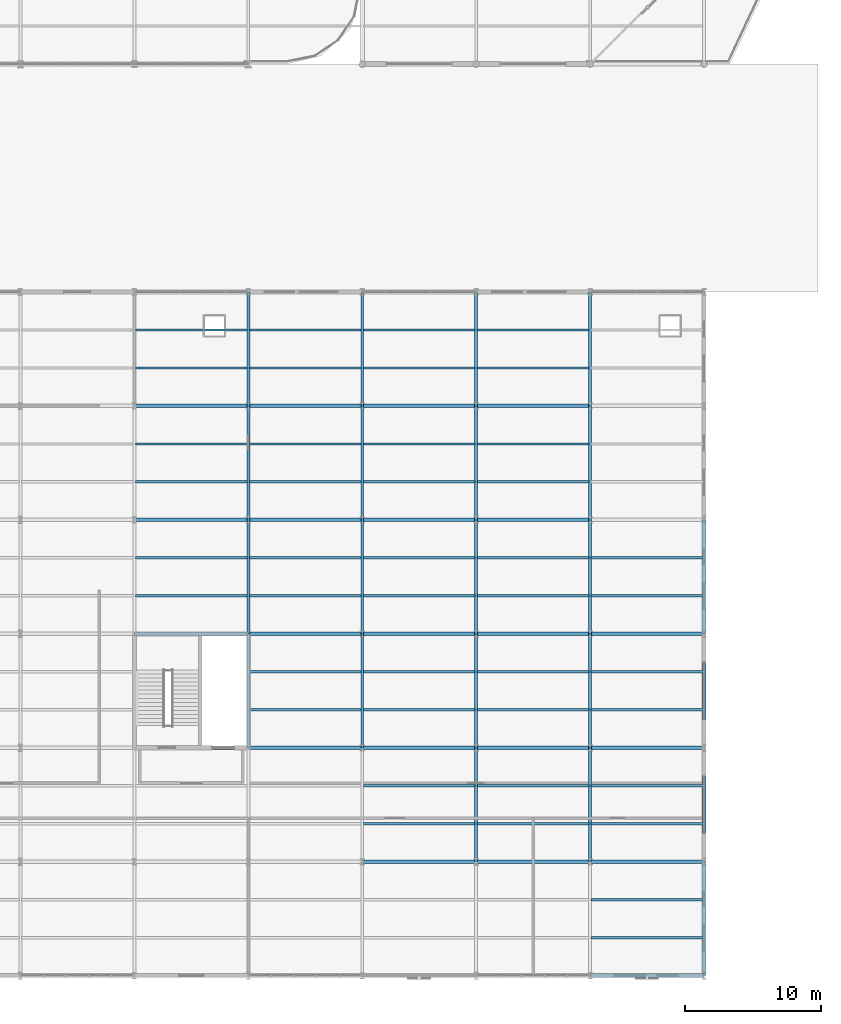
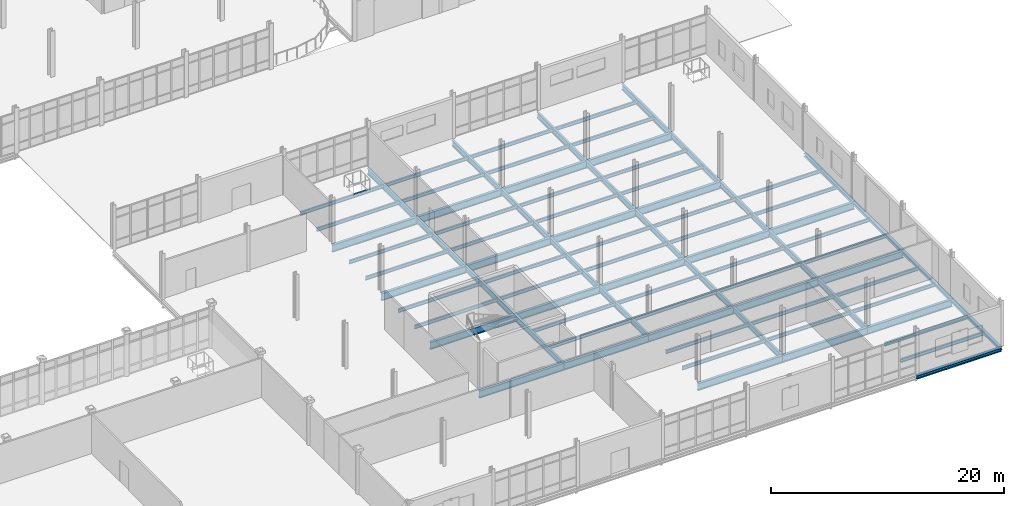
# One storey, part 98 of 145: 86 beams.
"""IFC4 building model written with IfcOpenShell, lengths in metres."""

from ifc_helpers import new_model, si_unit, direction, frame, origin, origin_2d, place, context, subcontext, project, spatial, i_section, extrude, material, material_profile, profile_set, type_object, element, save


model = new_model("IFC4")

# Units and contexts
model_context = context("Model", 3, precision=1e-05, world=origin(), true_north=direction((0.0, 1.0)))
body_context = subcontext(model_context, "Body", "Model", "MODEL_VIEW")
ifc_project = project(units=[si_unit("LENGTHUNIT", "METRE"), si_unit("AREAUNIT", "SQUARE_METRE"), si_unit("VOLUMEUNIT", "CUBIC_METRE"), si_unit("PLANEANGLEUNIT", "RADIAN"), si_unit("MASSUNIT", "GRAM", prefix="KILO")], contexts=[model_context])

# Site, building, storey
site_placement = place(None, origin())
site = spatial("IfcSite", under=ifc_project, at=site_placement, CompositionType="ELEMENT")
building_placement = place(site_placement, origin())
building = spatial("IfcBuilding", under=site, at=building_placement, Name="Qalvenar Corner Mobility Hub", CompositionType="ELEMENT")
storey_placement = place(building_placement, origin())
storey = spatial("IfcBuildingStorey", under=building, at=storey_placement, Name="L00", CompositionType="ELEMENT", Elevation=0.0)

# Beams
ifc_material = material(Name="Steel S355", Category="steel")
ifc_material_profile_1 = material_profile(ifc_material, i_section(OverallWidth=0.219970703125, OverallDepth=0.60009765625, WebThickness=0.011962890625, FlangeThickness=0.01904296875, FilletRadius=0.02392578125, at=origin_2d()), Name="IPE600")
ifc_profile_set_1 = profile_set([ifc_material_profile_1], Name="Steel S355")
beam_type_1 = type_object("IfcBeamType", Name="BM-IPE600", PredefinedType="BEAM", material=ifc_profile_set_1)
beam_1_placement = place(storey_placement, frame((134.39990234375, 16.800048828125, -0.550048828125), z_axis=(0.0, 1.0, 0.0), x_axis=(-1.0, 0.0, 0.0)))
element("IfcBeam", 1, at=beam_1_placement, inside=storey, type_object=beam_type_1, Name="Primary Steel Girder GY-0313", PredefinedType="BEAM", context=body_context, shape_type="SweptSolid", body=[
    extrude(i_section(OverallWidth=0.219970703125, OverallDepth=0.60009765625, WebThickness=0.011962890625, FlangeThickness=0.01904296875, FilletRadius=0.02392578125, at=origin_2d()), origin(), (0.0, 0.0, 1.0), 8.39990234375),
])
beam_2_placement = place(storey_placement, frame((134.39990234375, 25.199951171875, -0.550048828125), z_axis=(0.0, 1.0, 0.0), x_axis=(-1.0, 0.0, 0.0)))
element("IfcBeam", 2, at=beam_2_placement, inside=storey, type_object=beam_type_1, Name="Primary Steel Girder GY-0314", PredefinedType="BEAM", context=body_context, shape_type="SweptSolid", body=[
    extrude(i_section(OverallWidth=0.219970703125, OverallDepth=0.60009765625, WebThickness=0.011962890625, FlangeThickness=0.01904296875, FilletRadius=0.02392578125, at=origin_2d()), origin(), (0.0, 0.0, 1.0), 8.400146484375),
])
for number, where, z_axis, x_axis, name in (
    (3, (134.39990234375, 33.60009765625, -0.550048828125), (0.0, 1.0, 0.0), (-1.0, 0.0, 0.0), "Primary Steel Girder GY-0315"),
    (4, (134.39990234375, 42.0, -0.550048828125), (0.0, 1.0, 0.0), (-1.0, 0.0, 0.0), "Primary Steel Girder GY-0316"),
    (5, (142.800048828125, 16.800048828125, -0.550048828125), (0.0, 1.0, 0.0), (-1.0, 0.0, 0.0), "Primary Steel Girder GY-0319"),
):
    element("IfcBeam", number, at=place(storey_placement, frame(where, z_axis=z_axis, x_axis=x_axis)), inside=storey, type_object=beam_type_1, Name=name, PredefinedType="BEAM", context=body_context, shape_type="SweptSolid", body=[
        extrude(i_section(OverallWidth=0.219970703125, OverallDepth=0.60009765625, WebThickness=0.011962890625, FlangeThickness=0.01904296875, FilletRadius=0.02392578125, at=origin_2d()), origin(), (0.0, 0.0, 1.0), 8.39990234375),
    ])
beam_3_placement = place(storey_placement, frame((142.800048828125, 25.199951171875, -0.550048828125), z_axis=(0.0, 1.0, 0.0), x_axis=(-1.0, 0.0, 0.0)))
element("IfcBeam", 6, at=beam_3_placement, inside=storey, type_object=beam_type_1, Name="Primary Steel Girder GY-0320", PredefinedType="BEAM", context=body_context, shape_type="SweptSolid", body=[
    extrude(i_section(OverallWidth=0.219970703125, OverallDepth=0.60009765625, WebThickness=0.011962890625, FlangeThickness=0.01904296875, FilletRadius=0.02392578125, at=origin_2d()), origin(), (0.0, 0.0, 1.0), 8.400146484375),
])
for number, where, z_axis, x_axis, name in (
    (7, (142.800048828125, 33.60009765625, -0.550048828125), (0.0, 1.0, 0.0), (-1.0, 0.0, 0.0), "Primary Steel Girder GY-0321"),
    (8, (142.800048828125, 42.0, -0.550048828125), (0.0, 1.0, 0.0), (-1.0, 0.0, 0.0), "Primary Steel Girder GY-0322"),
):
    element("IfcBeam", number, at=place(storey_placement, frame(where, z_axis=z_axis, x_axis=x_axis)), inside=storey, type_object=beam_type_1, Name=name, PredefinedType="BEAM", context=body_context, shape_type="SweptSolid", body=[
        extrude(i_section(OverallWidth=0.219970703125, OverallDepth=0.60009765625, WebThickness=0.011962890625, FlangeThickness=0.01904296875, FilletRadius=0.02392578125, at=origin_2d()), origin(), (0.0, 0.0, 1.0), 8.39990234375),
    ])
beam_4_placement = place(storey_placement, frame((151.199951171875, 8.39990234375, -0.550048828125), z_axis=(0.0, 1.0, 0.0), x_axis=(-1.0, 0.0, 0.0)))
element("IfcBeam", 9, at=beam_4_placement, inside=storey, type_object=beam_type_1, Name="Primary Steel Girder GY-0324", PredefinedType="BEAM", context=body_context, shape_type="SweptSolid", body=[
    extrude(i_section(OverallWidth=0.219970703125, OverallDepth=0.60009765625, WebThickness=0.011962890625, FlangeThickness=0.01904296875, FilletRadius=0.02392578125, at=origin_2d()), origin(), (0.0, 0.0, 1.0), 8.400146484375),
])
beam_5_placement = place(storey_placement, frame((151.199951171875, 16.800048828125, -0.550048828125), z_axis=(0.0, 1.0, 0.0), x_axis=(-1.0, 0.0, 0.0)))
element("IfcBeam", 10, at=beam_5_placement, inside=storey, type_object=beam_type_1, Name="Primary Steel Girder GY-0325", PredefinedType="BEAM", context=body_context, shape_type="SweptSolid", body=[
    extrude(i_section(OverallWidth=0.219970703125, OverallDepth=0.60009765625, WebThickness=0.011962890625, FlangeThickness=0.01904296875, FilletRadius=0.02392578125, at=origin_2d()), origin(), (0.0, 0.0, 1.0), 8.39990234375),
])
beam_6_placement = place(storey_placement, frame((151.199951171875, 25.199951171875, -0.550048828125), z_axis=(0.0, 1.0, 0.0), x_axis=(-1.0, 0.0, 0.0)))
element("IfcBeam", 11, at=beam_6_placement, inside=storey, type_object=beam_type_1, Name="Primary Steel Girder GY-0326", PredefinedType="BEAM", context=body_context, shape_type="SweptSolid", body=[
    extrude(i_section(OverallWidth=0.219970703125, OverallDepth=0.60009765625, WebThickness=0.011962890625, FlangeThickness=0.01904296875, FilletRadius=0.02392578125, at=origin_2d()), origin(), (0.0, 0.0, 1.0), 8.400146484375),
])
for number, where, z_axis, x_axis, name in (
    (12, (151.199951171875, 33.60009765625, -0.550048828125), (0.0, 1.0, 0.0), (-1.0, 0.0, 0.0), "Primary Steel Girder GY-0327"),
    (13, (151.199951171875, 42.0, -0.550048828125), (0.0, 1.0, 0.0), (-1.0, 0.0, 0.0), "Primary Steel Girder GY-0328"),
):
    element("IfcBeam", number, at=place(storey_placement, frame(where, z_axis=z_axis, x_axis=x_axis)), inside=storey, type_object=beam_type_1, Name=name, PredefinedType="BEAM", context=body_context, shape_type="SweptSolid", body=[
        extrude(i_section(OverallWidth=0.219970703125, OverallDepth=0.60009765625, WebThickness=0.011962890625, FlangeThickness=0.01904296875, FilletRadius=0.02392578125, at=origin_2d()), origin(), (0.0, 0.0, 1.0), 8.39990234375),
    ])
beam_7_placement = place(storey_placement, frame((159.60009765625, 8.39990234375, -0.550048828125), z_axis=(0.0, 1.0, 0.0), x_axis=(-1.0, 0.0, 0.0)))
element("IfcBeam", 14, at=beam_7_placement, inside=storey, type_object=beam_type_1, Name="Primary Steel Girder GY-0330", PredefinedType="BEAM", context=body_context, shape_type="SweptSolid", body=[
    extrude(i_section(OverallWidth=0.219970703125, OverallDepth=0.60009765625, WebThickness=0.011962890625, FlangeThickness=0.01904296875, FilletRadius=0.02392578125, at=origin_2d()), origin(), (0.0, 0.0, 1.0), 8.400146484375),
])
beam_8_placement = place(storey_placement, frame((159.60009765625, 16.800048828125, -0.550048828125), z_axis=(0.0, 1.0, 0.0), x_axis=(-1.0, 0.0, 0.0)))
element("IfcBeam", 15, at=beam_8_placement, inside=storey, type_object=beam_type_1, Name="Primary Steel Girder GY-0331", PredefinedType="BEAM", context=body_context, shape_type="SweptSolid", body=[
    extrude(i_section(OverallWidth=0.219970703125, OverallDepth=0.60009765625, WebThickness=0.011962890625, FlangeThickness=0.01904296875, FilletRadius=0.02392578125, at=origin_2d()), origin(), (0.0, 0.0, 1.0), 8.39990234375),
])
beam_9_placement = place(storey_placement, frame((159.60009765625, 25.199951171875, -0.550048828125), z_axis=(0.0, 1.0, 0.0), x_axis=(-1.0, 0.0, 0.0)))
element("IfcBeam", 16, at=beam_9_placement, inside=storey, type_object=beam_type_1, Name="Primary Steel Girder GY-0332", PredefinedType="BEAM", context=body_context, shape_type="SweptSolid", body=[
    extrude(i_section(OverallWidth=0.219970703125, OverallDepth=0.60009765625, WebThickness=0.011962890625, FlangeThickness=0.01904296875, FilletRadius=0.02392578125, at=origin_2d()), origin(), (0.0, 0.0, 1.0), 8.400146484375),
])
for number, where, z_axis, x_axis, name in (
    (17, (159.60009765625, 33.60009765625, -0.550048828125), (0.0, 1.0, 0.0), (-1.0, 0.0, 0.0), "Primary Steel Girder GY-0333"),
    (18, (159.60009765625, 42.0, -0.550048828125), (0.0, 1.0, 0.0), (-1.0, 0.0, 0.0), "Primary Steel Girder GY-0334"),
):
    element("IfcBeam", number, at=place(storey_placement, frame(where, z_axis=z_axis, x_axis=x_axis)), inside=storey, type_object=beam_type_1, Name=name, PredefinedType="BEAM", context=body_context, shape_type="SweptSolid", body=[
        extrude(i_section(OverallWidth=0.219970703125, OverallDepth=0.60009765625, WebThickness=0.011962890625, FlangeThickness=0.01904296875, FilletRadius=0.02392578125, at=origin_2d()), origin(), (0.0, 0.0, 1.0), 8.39990234375),
    ])
ifc_material_profile_2 = material_profile(ifc_material, i_section(OverallWidth=0.26708984375, OverallDepth=0.761962890625, WebThickness=0.014404296875, FlangeThickness=0.021484375, FilletRadius=0.01708984375, at=origin_2d()), Name="IPE750x173")
ifc_profile_set_2 = profile_set([ifc_material_profile_2], Name="Steel S355")
beam_type_2 = type_object("IfcBeamType", Name="BM-IPE750", PredefinedType="BEAM", material=ifc_profile_set_2)
beam_10_placement = place(storey_placement, frame((142.800048828125, 8.39990234375, -0.631103515625), z_axis=(1.0, 0.0, 0.0), x_axis=(0.0, 1.0, 0.0)))
element("IfcBeam", 19, at=beam_10_placement, inside=storey, type_object=beam_type_2, Name="Primary Steel Girder GX-0259", PredefinedType="BEAM", context=body_context, shape_type="SweptSolid", body=[
    extrude(i_section(OverallWidth=0.26708984375, OverallDepth=0.761962890625, WebThickness=0.014404296875, FlangeThickness=0.021484375, FilletRadius=0.01708984375, at=origin_2d()), origin(), (0.0, 0.0, 1.0), 8.39990234375),
])
beam_11_placement = place(storey_placement, frame((151.199951171875, 8.39990234375, -0.631103515625), z_axis=(1.0, 0.0, 0.0), x_axis=(0.0, 1.0, 0.0)))
element("IfcBeam", 20, at=beam_11_placement, inside=storey, type_object=beam_type_2, Name="Primary Steel Girder GX-0260", PredefinedType="BEAM", context=body_context, shape_type="SweptSolid", body=[
    extrude(i_section(OverallWidth=0.26708984375, OverallDepth=0.761962890625, WebThickness=0.014404296875, FlangeThickness=0.021484375, FilletRadius=0.01708984375, at=origin_2d()), origin(), (0.0, 0.0, 1.0), 8.400146484375),
])
for number, where, z_axis, x_axis, name in (
    (21, (159.60009765625, 8.39990234375, -0.631103515625), (1.0, 0.0, 0.0), (0.0, 1.0, 0.0), "Primary Steel Girder GX-0261"),
    (22, (126.0, 16.800048828125, -0.631103515625), (1.0, 0.0, 0.0), (0.0, 1.0, 0.0), "Primary Steel Girder GX-0264"),
):
    element("IfcBeam", number, at=place(storey_placement, frame(where, z_axis=z_axis, x_axis=x_axis)), inside=storey, type_object=beam_type_2, Name=name, PredefinedType="BEAM", context=body_context, shape_type="SweptSolid", body=[
        extrude(i_section(OverallWidth=0.26708984375, OverallDepth=0.761962890625, WebThickness=0.014404296875, FlangeThickness=0.021484375, FilletRadius=0.01708984375, at=origin_2d()), origin(), (0.0, 0.0, 1.0), 8.39990234375),
    ])
beam_12_placement = place(storey_placement, frame((134.39990234375, 16.800048828125, -0.631103515625), z_axis=(1.0, 0.0, 0.0), x_axis=(0.0, 1.0, 0.0)))
element("IfcBeam", 23, at=beam_12_placement, inside=storey, type_object=beam_type_2, Name="Primary Steel Girder GX-0265", PredefinedType="BEAM", context=body_context, shape_type="SweptSolid", body=[
    extrude(i_section(OverallWidth=0.26708984375, OverallDepth=0.761962890625, WebThickness=0.014404296875, FlangeThickness=0.021484375, FilletRadius=0.01708984375, at=origin_2d()), origin(), (0.0, 0.0, 1.0), 8.400146484375),
])
beam_13_placement = place(storey_placement, frame((142.800048828125, 16.800048828125, -0.631103515625), z_axis=(1.0, 0.0, 0.0), x_axis=(0.0, 1.0, 0.0)))
element("IfcBeam", 24, at=beam_13_placement, inside=storey, type_object=beam_type_2, Name="Primary Steel Girder GX-0266", PredefinedType="BEAM", context=body_context, shape_type="SweptSolid", body=[
    extrude(i_section(OverallWidth=0.26708984375, OverallDepth=0.761962890625, WebThickness=0.014404296875, FlangeThickness=0.021484375, FilletRadius=0.01708984375, at=origin_2d()), origin(), (0.0, 0.0, 1.0), 8.39990234375),
])
beam_14_placement = place(storey_placement, frame((151.199951171875, 16.800048828125, -0.631103515625), z_axis=(1.0, 0.0, 0.0), x_axis=(0.0, 1.0, 0.0)))
element("IfcBeam", 25, at=beam_14_placement, inside=storey, type_object=beam_type_2, Name="Primary Steel Girder GX-0267", PredefinedType="BEAM", context=body_context, shape_type="SweptSolid", body=[
    extrude(i_section(OverallWidth=0.26708984375, OverallDepth=0.761962890625, WebThickness=0.014404296875, FlangeThickness=0.021484375, FilletRadius=0.01708984375, at=origin_2d()), origin(), (0.0, 0.0, 1.0), 8.400146484375),
])
for number, where, z_axis, x_axis, name in (
    (26, (159.60009765625, 16.800048828125, -0.631103515625), (1.0, 0.0, 0.0), (0.0, 1.0, 0.0), "Primary Steel Girder GX-0268"),
    (27, (126.0, 25.199951171875, -0.631103515625), (1.0, 0.0, 0.0), (0.0, 1.0, 0.0), "Primary Steel Girder GX-0271"),
):
    element("IfcBeam", number, at=place(storey_placement, frame(where, z_axis=z_axis, x_axis=x_axis)), inside=storey, type_object=beam_type_2, Name=name, PredefinedType="BEAM", context=body_context, shape_type="SweptSolid", body=[
        extrude(i_section(OverallWidth=0.26708984375, OverallDepth=0.761962890625, WebThickness=0.014404296875, FlangeThickness=0.021484375, FilletRadius=0.01708984375, at=origin_2d()), origin(), (0.0, 0.0, 1.0), 8.39990234375),
    ])
beam_15_placement = place(storey_placement, frame((134.39990234375, 25.199951171875, -0.631103515625), z_axis=(1.0, 0.0, 0.0), x_axis=(0.0, 1.0, 0.0)))
element("IfcBeam", 28, at=beam_15_placement, inside=storey, type_object=beam_type_2, Name="Primary Steel Girder GX-0272", PredefinedType="BEAM", context=body_context, shape_type="SweptSolid", body=[
    extrude(i_section(OverallWidth=0.26708984375, OverallDepth=0.761962890625, WebThickness=0.014404296875, FlangeThickness=0.021484375, FilletRadius=0.01708984375, at=origin_2d()), origin(), (0.0, 0.0, 1.0), 8.400146484375),
])
beam_16_placement = place(storey_placement, frame((142.800048828125, 25.199951171875, -0.631103515625), z_axis=(1.0, 0.0, 0.0), x_axis=(0.0, 1.0, 0.0)))
element("IfcBeam", 29, at=beam_16_placement, inside=storey, type_object=beam_type_2, Name="Primary Steel Girder GX-0273", PredefinedType="BEAM", context=body_context, shape_type="SweptSolid", body=[
    extrude(i_section(OverallWidth=0.26708984375, OverallDepth=0.761962890625, WebThickness=0.014404296875, FlangeThickness=0.021484375, FilletRadius=0.01708984375, at=origin_2d()), origin(), (0.0, 0.0, 1.0), 8.39990234375),
])
beam_17_placement = place(storey_placement, frame((151.199951171875, 25.199951171875, -0.631103515625), z_axis=(1.0, 0.0, 0.0), x_axis=(0.0, 1.0, 0.0)))
element("IfcBeam", 30, at=beam_17_placement, inside=storey, type_object=beam_type_2, Name="Primary Steel Girder GX-0274", PredefinedType="BEAM", context=body_context, shape_type="SweptSolid", body=[
    extrude(i_section(OverallWidth=0.26708984375, OverallDepth=0.761962890625, WebThickness=0.014404296875, FlangeThickness=0.021484375, FilletRadius=0.01708984375, at=origin_2d()), origin(), (0.0, 0.0, 1.0), 8.400146484375),
])
for number, where, z_axis, x_axis, name in (
    (31, (159.60009765625, 25.199951171875, -0.631103515625), (1.0, 0.0, 0.0), (0.0, 1.0, 0.0), "Primary Steel Girder GX-0275"),
    (32, (126.0, 33.60009765625, -0.631103515625), (1.0, 0.0, 0.0), (0.0, 1.0, 0.0), "Primary Steel Girder GX-0278"),
):
    element("IfcBeam", number, at=place(storey_placement, frame(where, z_axis=z_axis, x_axis=x_axis)), inside=storey, type_object=beam_type_2, Name=name, PredefinedType="BEAM", context=body_context, shape_type="SweptSolid", body=[
        extrude(i_section(OverallWidth=0.26708984375, OverallDepth=0.761962890625, WebThickness=0.014404296875, FlangeThickness=0.021484375, FilletRadius=0.01708984375, at=origin_2d()), origin(), (0.0, 0.0, 1.0), 8.39990234375),
    ])
beam_18_placement = place(storey_placement, frame((134.39990234375, 33.60009765625, -0.631103515625), z_axis=(1.0, 0.0, 0.0), x_axis=(0.0, 1.0, 0.0)))
element("IfcBeam", 33, at=beam_18_placement, inside=storey, type_object=beam_type_2, Name="Primary Steel Girder GX-0279", PredefinedType="BEAM", context=body_context, shape_type="SweptSolid", body=[
    extrude(i_section(OverallWidth=0.26708984375, OverallDepth=0.761962890625, WebThickness=0.014404296875, FlangeThickness=0.021484375, FilletRadius=0.01708984375, at=origin_2d()), origin(), (0.0, 0.0, 1.0), 8.400146484375),
])
beam_19_placement = place(storey_placement, frame((142.800048828125, 33.60009765625, -0.631103515625), z_axis=(1.0, 0.0, 0.0), x_axis=(0.0, 1.0, 0.0)))
element("IfcBeam", 34, at=beam_19_placement, inside=storey, type_object=beam_type_2, Name="Primary Steel Girder GX-0280", PredefinedType="BEAM", context=body_context, shape_type="SweptSolid", body=[
    extrude(i_section(OverallWidth=0.26708984375, OverallDepth=0.761962890625, WebThickness=0.014404296875, FlangeThickness=0.021484375, FilletRadius=0.01708984375, at=origin_2d()), origin(), (0.0, 0.0, 1.0), 8.39990234375),
])
beam_20_placement = place(storey_placement, frame((151.199951171875, 33.60009765625, -0.631103515625), z_axis=(1.0, 0.0, 0.0), x_axis=(0.0, 1.0, 0.0)))
element("IfcBeam", 35, at=beam_20_placement, inside=storey, type_object=beam_type_2, Name="Primary Steel Girder GX-0281", PredefinedType="BEAM", context=body_context, shape_type="SweptSolid", body=[
    extrude(i_section(OverallWidth=0.26708984375, OverallDepth=0.761962890625, WebThickness=0.014404296875, FlangeThickness=0.021484375, FilletRadius=0.01708984375, at=origin_2d()), origin(), (0.0, 0.0, 1.0), 8.400146484375),
])
beam_21_placement = place(storey_placement, frame((126.0, 42.0, -0.631103515625), z_axis=(1.0, 0.0, 0.0), x_axis=(0.0, 1.0, 0.0)))
element("IfcBeam", 36, at=beam_21_placement, inside=storey, type_object=beam_type_2, Name="Primary Steel Girder GX-0285", PredefinedType="BEAM", context=body_context, shape_type="SweptSolid", body=[
    extrude(i_section(OverallWidth=0.26708984375, OverallDepth=0.761962890625, WebThickness=0.014404296875, FlangeThickness=0.021484375, FilletRadius=0.01708984375, at=origin_2d()), origin(), (0.0, 0.0, 1.0), 8.39990234375),
])
beam_22_placement = place(storey_placement, frame((134.39990234375, 42.0, -0.631103515625), z_axis=(1.0, 0.0, 0.0), x_axis=(0.0, 1.0, 0.0)))
element("IfcBeam", 37, at=beam_22_placement, inside=storey, type_object=beam_type_2, Name="Primary Steel Girder GX-0286", PredefinedType="BEAM", context=body_context, shape_type="SweptSolid", body=[
    extrude(i_section(OverallWidth=0.26708984375, OverallDepth=0.761962890625, WebThickness=0.014404296875, FlangeThickness=0.021484375, FilletRadius=0.01708984375, at=origin_2d()), origin(), (0.0, 0.0, 1.0), 8.400146484375),
])
beam_23_placement = place(storey_placement, frame((142.800048828125, 42.0, -0.631103515625), z_axis=(1.0, 0.0, 0.0), x_axis=(0.0, 1.0, 0.0)))
element("IfcBeam", 38, at=beam_23_placement, inside=storey, type_object=beam_type_2, Name="Primary Steel Girder GX-0287", PredefinedType="BEAM", context=body_context, shape_type="SweptSolid", body=[
    extrude(i_section(OverallWidth=0.26708984375, OverallDepth=0.761962890625, WebThickness=0.014404296875, FlangeThickness=0.021484375, FilletRadius=0.01708984375, at=origin_2d()), origin(), (0.0, 0.0, 1.0), 8.39990234375),
])
beam_24_placement = place(storey_placement, frame((151.199951171875, 42.0, -0.631103515625), z_axis=(1.0, 0.0, 0.0), x_axis=(0.0, 1.0, 0.0)))
element("IfcBeam", 39, at=beam_24_placement, inside=storey, type_object=beam_type_2, Name="Primary Steel Girder GX-0288", PredefinedType="BEAM", context=body_context, shape_type="SweptSolid", body=[
    extrude(i_section(OverallWidth=0.26708984375, OverallDepth=0.761962890625, WebThickness=0.014404296875, FlangeThickness=0.021484375, FilletRadius=0.01708984375, at=origin_2d()), origin(), (0.0, 0.0, 1.0), 8.400146484375),
])
ifc_material_profile_3 = material_profile(ifc_material, i_section(OverallWidth=0.169921875, OverallDepth=0.360107421875, WebThickness=0.008056640625, FlangeThickness=0.0126953125, FilletRadius=0.01806640625, at=origin_2d()), Name="IPE360")
ifc_profile_set_3 = profile_set([ifc_material_profile_3], Name="Steel S355")
beam_type_3 = type_object("IfcBeamType", Name="BM-JST360", PredefinedType="JOIST", material=ifc_profile_set_3)
for number, where, z_axis, x_axis, name in (
    (40, (126.077880859375, 28.0, -0.429931640625), (1.0, 0.0, 0.0), (0.0, 1.0, 0.0), "Composite Floor Joist J-0369"),
    (41, (126.077880859375, 30.800048828125, -0.429931640625), (1.0, 0.0, 0.0), (0.0, 1.0, 0.0), "Composite Floor Joist J-0370"),
    (42, (126.077880859375, 36.39990234375, -0.429931640625), (1.0, 0.0, 0.0), (0.0, 1.0, 0.0), "Composite Floor Joist J-0371"),
    (43, (126.077880859375, 39.199951171875, -0.429931640625), (1.0, 0.0, 0.0), (0.0, 1.0, 0.0), "Composite Floor Joist J-0372"),
    (44, (126.077880859375, 44.800048828125, -0.429931640625), (1.0, 0.0, 0.0), (0.0, 1.0, 0.0), "Composite Floor Joist J-0373"),
    (45, (126.077880859375, 47.60009765625, -0.429931640625), (1.0, 0.0, 0.0), (0.0, 1.0, 0.0), "Composite Floor Joist J-0374"),
):
    element("IfcBeam", number, at=place(storey_placement, frame(where, z_axis=z_axis, x_axis=x_axis)), inside=storey, type_object=beam_type_3, Name=name, PredefinedType="JOIST", context=body_context, shape_type="SweptSolid", body=[
        extrude(i_section(OverallWidth=0.169921875, OverallDepth=0.360107421875, WebThickness=0.008056640625, FlangeThickness=0.0126953125, FilletRadius=0.01806640625, at=origin_2d()), origin(), (0.0, 0.0, 1.0), 8.244140625),
    ])
for number, where, z_axis, x_axis, name in (
    (46, (134.47802734375, 19.60009765625, -0.429931640625), (1.0, 0.0, 0.0), (0.0, 1.0, 0.0), "Composite Floor Joist J-0379"),
    (47, (134.47802734375, 22.39990234375, -0.429931640625), (1.0, 0.0, 0.0), (0.0, 1.0, 0.0), "Composite Floor Joist J-0380"),
    (48, (134.47802734375, 28.0, -0.429931640625), (1.0, 0.0, 0.0), (0.0, 1.0, 0.0), "Composite Floor Joist J-0381"),
    (49, (134.47802734375, 30.800048828125, -0.429931640625), (1.0, 0.0, 0.0), (0.0, 1.0, 0.0), "Composite Floor Joist J-0382"),
    (50, (134.47802734375, 36.39990234375, -0.429931640625), (1.0, 0.0, 0.0), (0.0, 1.0, 0.0), "Composite Floor Joist J-0383"),
    (51, (134.47802734375, 39.199951171875, -0.429931640625), (1.0, 0.0, 0.0), (0.0, 1.0, 0.0), "Composite Floor Joist J-0384"),
    (52, (134.47802734375, 44.800048828125, -0.429931640625), (1.0, 0.0, 0.0), (0.0, 1.0, 0.0), "Composite Floor Joist J-0385"),
    (53, (134.47802734375, 47.60009765625, -0.429931640625), (1.0, 0.0, 0.0), (0.0, 1.0, 0.0), "Composite Floor Joist J-0386"),
):
    element("IfcBeam", number, at=place(storey_placement, frame(where, z_axis=z_axis, x_axis=x_axis)), inside=storey, type_object=beam_type_3, Name=name, PredefinedType="JOIST", context=body_context, shape_type="SweptSolid", body=[
        extrude(i_section(OverallWidth=0.169921875, OverallDepth=0.360107421875, WebThickness=0.008056640625, FlangeThickness=0.0126953125, FilletRadius=0.01806640625, at=origin_2d()), origin(), (0.0, 0.0, 1.0), 8.243896484375),
    ])
for number, where, z_axis, x_axis, name in (
    (54, (142.8779296875, 11.199951171875, -0.429931640625), (1.0, 0.0, 0.0), (0.0, 1.0, 0.0), "Composite Floor Joist J-0389"),
    (55, (142.8779296875, 14.0, -0.429931640625), (1.0, 0.0, 0.0), (0.0, 1.0, 0.0), "Composite Floor Joist J-0390"),
    (56, (142.8779296875, 19.60009765625, -0.429931640625), (1.0, 0.0, 0.0), (0.0, 1.0, 0.0), "Composite Floor Joist J-0391"),
    (57, (142.8779296875, 22.39990234375, -0.429931640625), (1.0, 0.0, 0.0), (0.0, 1.0, 0.0), "Composite Floor Joist J-0392"),
    (58, (142.8779296875, 28.0, -0.429931640625), (1.0, 0.0, 0.0), (0.0, 1.0, 0.0), "Composite Floor Joist J-0393"),
    (59, (142.8779296875, 30.800048828125, -0.429931640625), (1.0, 0.0, 0.0), (0.0, 1.0, 0.0), "Composite Floor Joist J-0394"),
    (60, (142.8779296875, 36.39990234375, -0.429931640625), (1.0, 0.0, 0.0), (0.0, 1.0, 0.0), "Composite Floor Joist J-0395"),
    (61, (142.8779296875, 39.199951171875, -0.429931640625), (1.0, 0.0, 0.0), (0.0, 1.0, 0.0), "Composite Floor Joist J-0396"),
    (62, (142.8779296875, 44.800048828125, -0.429931640625), (1.0, 0.0, 0.0), (0.0, 1.0, 0.0), "Composite Floor Joist J-0397"),
    (63, (142.8779296875, 47.60009765625, -0.429931640625), (1.0, 0.0, 0.0), (0.0, 1.0, 0.0), "Composite Floor Joist J-0398"),
):
    element("IfcBeam", number, at=place(storey_placement, frame(where, z_axis=z_axis, x_axis=x_axis)), inside=storey, type_object=beam_type_3, Name=name, PredefinedType="JOIST", context=body_context, shape_type="SweptSolid", body=[
        extrude(i_section(OverallWidth=0.169921875, OverallDepth=0.360107421875, WebThickness=0.008056640625, FlangeThickness=0.0126953125, FilletRadius=0.01806640625, at=origin_2d()), origin(), (0.0, 0.0, 1.0), 8.244140625),
    ])
for number, where, z_axis, x_axis, name in (
    (64, (151.278076171875, 11.199951171875, -0.429931640625), (1.0, 0.0, 0.0), (0.0, 1.0, 0.0), "Composite Floor Joist J-0401"),
    (65, (151.278076171875, 14.0, -0.429931640625), (1.0, 0.0, 0.0), (0.0, 1.0, 0.0), "Composite Floor Joist J-0402"),
    (66, (151.278076171875, 19.60009765625, -0.429931640625), (1.0, 0.0, 0.0), (0.0, 1.0, 0.0), "Composite Floor Joist J-0403"),
    (67, (151.278076171875, 22.39990234375, -0.429931640625), (1.0, 0.0, 0.0), (0.0, 1.0, 0.0), "Composite Floor Joist J-0404"),
    (68, (151.278076171875, 28.0, -0.429931640625), (1.0, 0.0, 0.0), (0.0, 1.0, 0.0), "Composite Floor Joist J-0405"),
    (69, (151.278076171875, 30.800048828125, -0.429931640625), (1.0, 0.0, 0.0), (0.0, 1.0, 0.0), "Composite Floor Joist J-0406"),
    (70, (151.278076171875, 36.39990234375, -0.429931640625), (1.0, 0.0, 0.0), (0.0, 1.0, 0.0), "Composite Floor Joist J-0407"),
    (71, (151.278076171875, 39.199951171875, -0.429931640625), (1.0, 0.0, 0.0), (0.0, 1.0, 0.0), "Composite Floor Joist J-0408"),
    (72, (151.278076171875, 44.800048828125, -0.429931640625), (1.0, 0.0, 0.0), (0.0, 1.0, 0.0), "Composite Floor Joist J-0409"),
    (73, (151.278076171875, 47.60009765625, -0.429931640625), (1.0, 0.0, 0.0), (0.0, 1.0, 0.0), "Composite Floor Joist J-0410"),
):
    element("IfcBeam", number, at=place(storey_placement, frame(where, z_axis=z_axis, x_axis=x_axis)), inside=storey, type_object=beam_type_3, Name=name, PredefinedType="JOIST", context=body_context, shape_type="SweptSolid", body=[
        extrude(i_section(OverallWidth=0.169921875, OverallDepth=0.360107421875, WebThickness=0.008056640625, FlangeThickness=0.0126953125, FilletRadius=0.01806640625, at=origin_2d()), origin(), (0.0, 0.0, 1.0), 8.243896484375),
    ])
for number, where, z_axis, x_axis, name in (
    (74, (159.677978515625, 2.800048828125, -0.429931640625), (1.0, 0.0, 0.0), (0.0, 1.0, 0.0), "Composite Floor Joist J-0411"),
    (75, (159.677978515625, 5.60009765625, -0.429931640625), (1.0, 0.0, 0.0), (0.0, 1.0, 0.0), "Composite Floor Joist J-0412"),
    (76, (159.677978515625, 11.199951171875, -0.429931640625), (1.0, 0.0, 0.0), (0.0, 1.0, 0.0), "Composite Floor Joist J-0413"),
    (77, (159.677978515625, 14.0, -0.429931640625), (1.0, 0.0, 0.0), (0.0, 1.0, 0.0), "Composite Floor Joist J-0414"),
    (78, (159.677978515625, 19.60009765625, -0.429931640625), (1.0, 0.0, 0.0), (0.0, 1.0, 0.0), "Composite Floor Joist J-0415"),
    (79, (159.677978515625, 22.39990234375, -0.429931640625), (1.0, 0.0, 0.0), (0.0, 1.0, 0.0), "Composite Floor Joist J-0416"),
    (80, (159.677978515625, 28.0, -0.429931640625), (1.0, 0.0, 0.0), (0.0, 1.0, 0.0), "Composite Floor Joist J-0417"),
    (81, (159.677978515625, 30.800048828125, -0.429931640625), (1.0, 0.0, 0.0), (0.0, 1.0, 0.0), "Composite Floor Joist J-0418"),
):
    element("IfcBeam", number, at=place(storey_placement, frame(where, z_axis=z_axis, x_axis=x_axis)), inside=storey, type_object=beam_type_3, Name=name, PredefinedType="JOIST", context=body_context, shape_type="SweptSolid", body=[
        extrude(i_section(OverallWidth=0.169921875, OverallDepth=0.360107421875, WebThickness=0.008056640625, FlangeThickness=0.0126953125, FilletRadius=0.01806640625, at=origin_2d()), origin(), (0.0, 0.0, 1.0), 8.244140625),
    ])
ifc_material_profile_4 = material_profile(ifc_material, i_section(OverallWidth=0.300048828125, OverallDepth=0.330078125, WebThickness=0.009521484375, FlangeThickness=0.0166015625, FilletRadius=0.027099609375, at=origin_2d()), Name="HEA340")
ifc_profile_set_4 = profile_set([ifc_material_profile_4], Name="Steel S355")
beam_type_4 = type_object("IfcBeamType", Name="BM-SPN340", PredefinedType="SPANDREL", material=ifc_profile_set_4)
beam_25_placement = place(storey_placement, frame((168.0, 0.0, -0.4150390625), z_axis=(0.0, 1.0, 0.0), x_axis=(-1.0, 0.0, 0.0)))
element("IfcBeam", 82, at=beam_25_placement, inside=storey, type_object=beam_type_4, Name="Primary Steel Girder GY-0335", PredefinedType="SPANDREL", context=body_context, shape_type="SweptSolid", body=[
    extrude(i_section(OverallWidth=0.300048828125, OverallDepth=0.330078125, WebThickness=0.009521484375, FlangeThickness=0.0166015625, FilletRadius=0.027099609375, at=origin_2d()), origin(), (0.0, 0.0, 1.0), 8.39990234375),
])
beam_26_placement = place(storey_placement, frame((168.0, 8.39990234375, -0.4150390625), z_axis=(0.0, 1.0, 0.0), x_axis=(-1.0, 0.0, 0.0)))
element("IfcBeam", 83, at=beam_26_placement, inside=storey, type_object=beam_type_4, Name="Primary Steel Girder GY-0336", PredefinedType="SPANDREL", context=body_context, shape_type="SweptSolid", body=[
    extrude(i_section(OverallWidth=0.300048828125, OverallDepth=0.330078125, WebThickness=0.009521484375, FlangeThickness=0.0166015625, FilletRadius=0.027099609375, at=origin_2d()), origin(), (0.0, 0.0, 1.0), 8.400146484375),
])
beam_27_placement = place(storey_placement, frame((168.0, 16.800048828125, -0.4150390625), z_axis=(0.0, 1.0, 0.0), x_axis=(-1.0, 0.0, 0.0)))
element("IfcBeam", 84, at=beam_27_placement, inside=storey, type_object=beam_type_4, Name="Primary Steel Girder GY-0337", PredefinedType="SPANDREL", context=body_context, shape_type="SweptSolid", body=[
    extrude(i_section(OverallWidth=0.300048828125, OverallDepth=0.330078125, WebThickness=0.009521484375, FlangeThickness=0.0166015625, FilletRadius=0.027099609375, at=origin_2d()), origin(), (0.0, 0.0, 1.0), 8.39990234375),
])
beam_28_placement = place(storey_placement, frame((168.0, 25.199951171875, -0.4150390625), z_axis=(0.0, 1.0, 0.0), x_axis=(-1.0, 0.0, 0.0)))
element("IfcBeam", 85, at=beam_28_placement, inside=storey, type_object=beam_type_4, Name="Primary Steel Girder GY-0338", PredefinedType="SPANDREL", context=body_context, shape_type="SweptSolid", body=[
    extrude(i_section(OverallWidth=0.300048828125, OverallDepth=0.330078125, WebThickness=0.009521484375, FlangeThickness=0.0166015625, FilletRadius=0.027099609375, at=origin_2d()), origin(), (0.0, 0.0, 1.0), 8.400146484375),
])
ifc_material_profile_5 = material_profile(ifc_material, i_section(OverallWidth=0.300048828125, OverallDepth=0.35009765625, WebThickness=0.010009765625, FlangeThickness=0.017578125, FilletRadius=0.027099609375, at=origin_2d()), Name="HEA360")
ifc_profile_set_5 = profile_set([ifc_material_profile_5], Name="Steel S355")
beam_type_5 = type_object("IfcBeamType", Name="BM-SPN360", PredefinedType="SPANDREL", material=ifc_profile_set_5)
beam_29_placement = place(storey_placement, frame((159.60009765625, 0.0, -0.425048828125), z_axis=(1.0, 0.0, 0.0), x_axis=(0.0, 1.0, 0.0)))
element("IfcBeam", 86, at=beam_29_placement, inside=storey, type_object=beam_type_5, Name="Primary Steel Girder GX-0254", PredefinedType="SPANDREL", context=body_context, shape_type="SweptSolid", body=[
    extrude(i_section(OverallWidth=0.300048828125, OverallDepth=0.35009765625, WebThickness=0.010009765625, FlangeThickness=0.017578125, FilletRadius=0.027099609375, at=origin_2d()), origin(), (0.0, 0.0, 1.0), 8.39990234375),
])

save(model, "model.ifc")
